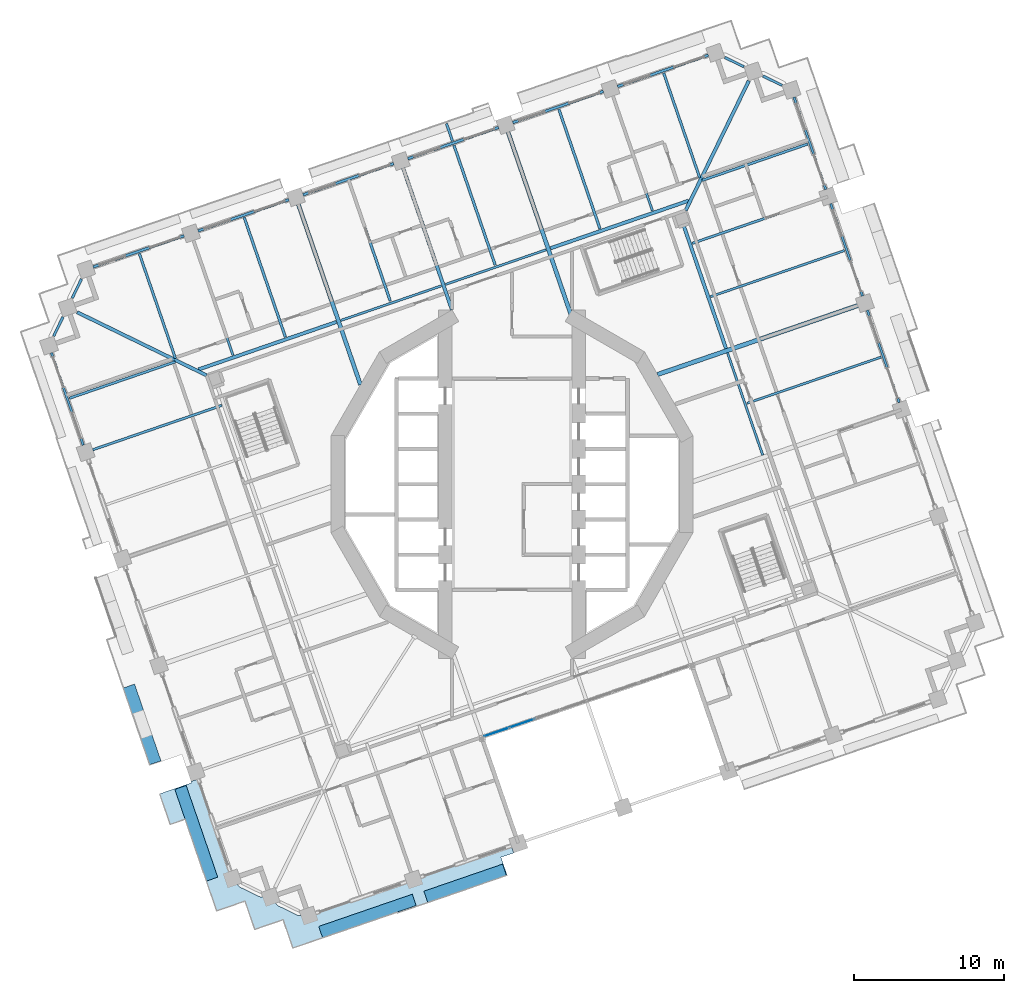
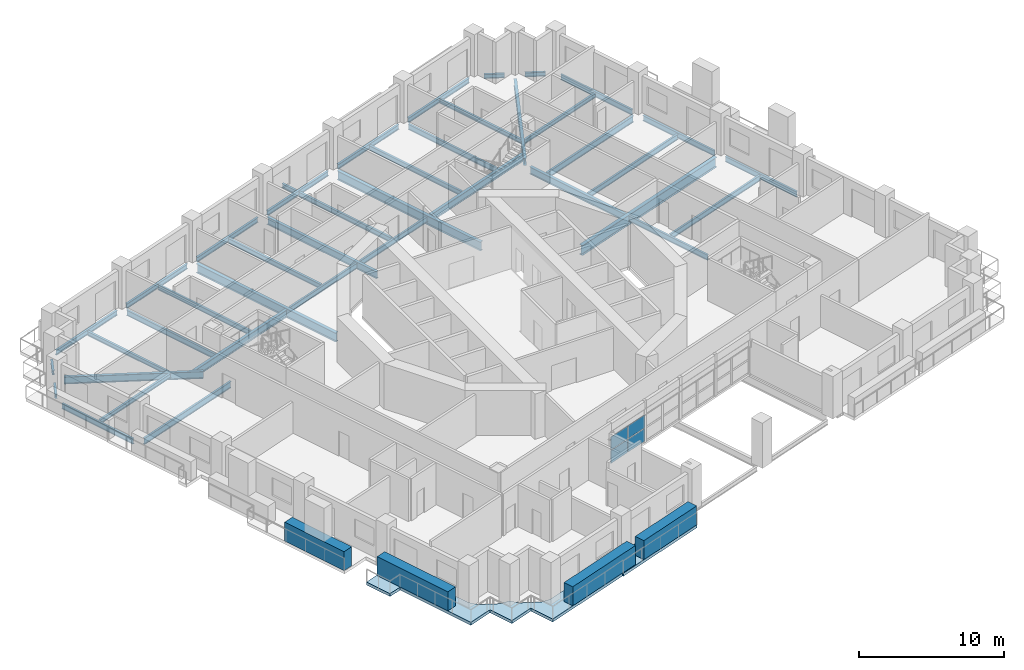
# One storey, part 6 of 22: 41 beams, 8 plates, 1 slab, 1 element without a shape of its own.
"""IFC4 building model written with IfcOpenShell, lengths in metres."""

from ifc_helpers import new_model, si_unit, direction, frame, origin, origin_2d, place, context, subcontext, project, spatial, polyline, rectangle, i_section, outline, extrude, material, layer, layer_set, material_profile, profile_set, type_object, element, aggregate, save


model = new_model("IFC4")

# Units and contexts
model_context = context("Model", 3, precision=1e-05, world=origin(), true_north=direction((0.0, 1.0)))
body_context = subcontext(model_context, "Body", "Model", "MODEL_VIEW")
ifc_project = project(units=[si_unit("LENGTHUNIT", "METRE"), si_unit("AREAUNIT", "SQUARE_METRE"), si_unit("VOLUMEUNIT", "CUBIC_METRE"), si_unit("PLANEANGLEUNIT", "RADIAN"), si_unit("MASSUNIT", "GRAM", prefix="KILO")], contexts=[model_context])

# Site, building, storey
site_placement = place(None, origin())
site = spatial("IfcSite", under=ifc_project, at=site_placement, CompositionType="ELEMENT")
building_placement = place(site_placement, origin())
building = spatial("IfcBuilding", under=site, at=building_placement, Name="Cantera Rosa Tower", CompositionType="ELEMENT")
storey_placement = place(building_placement, frame((0.0, 0.0, 107.89990234375)))
storey = spatial("IfcBuildingStorey", under=building, at=storey_placement, Name="L21", CompositionType="ELEMENT", Elevation=107.89990234375)

# Beams
ifc_material_1 = material(Name="Steel ASTM A992 (Fy 345 MPa)", Category="steel")
ifc_material_profile_1 = material_profile(ifc_material_1, i_section(OverallWidth=0.154052734375, OverallDepth=0.4599609375, WebThickness=0.009033203125, FlangeThickness=0.015380859375, FilletRadius=0.01025390625, at=origin_2d()), Name="W460X68")
ifc_profile_set_1 = profile_set([ifc_material_profile_1], Name="Steel ASTM A992 (Fy 345 MPa)")
beam_type_1 = type_object("IfcBeamType", Name="STEEL BEAM W460X68", PredefinedType="BEAM", material=ifc_profile_set_1)
for number, where, z_axis, x_axis, name in (
    (1, (6.7333984375, 25.903564453125, -0.47998046875), (0.325580085327, -0.945514467387, 0.0), (0.945514467387, 0.325580085327, 0.0), "G-Z2-05 L21"),
    (2, (-21.25390625, 16.2666015625, -0.47998046875), (0.325580085327, -0.945514467387, 0.0), (0.945514467387, 0.325580085327, 0.0), "G-Z2-09 L21"),
):
    element("IfcBeam", number, at=place(storey_placement, frame(where, z_axis=z_axis, x_axis=x_axis)), inside=storey, type_object=beam_type_1, Name=name, PredefinedType="BEAM", context=body_context, shape_type="SweptSolid", body=[
        extrude(i_section(OverallWidth=0.154052734375, OverallDepth=0.4599609375, WebThickness=0.009033203125, FlangeThickness=0.015380859375, FilletRadius=0.01025390625, at=origin_2d()), origin(), (0.0, 0.0, 1.0), 8.10009765625),
    ])
beam_1_placement = place(storey_placement, frame((-11.42919921875, 10.924072265625, -0.47998046875), z_axis=(0.945518325606, 0.32556888049, 0.0), x_axis=(-0.32556888049, 0.945518325606, 0.0)))
element("IfcBeam", 3, at=beam_1_placement, inside=storey, type_object=beam_type_1, Name="RB-Z2-02 L21", PredefinedType="BEAM", context=body_context, shape_type="SweptSolid", body=[
    extrude(i_section(OverallWidth=0.154052734375, OverallDepth=0.4599609375, WebThickness=0.009033203125, FlangeThickness=0.015380859375, FilletRadius=0.01025390625, at=origin_2d()), origin(), (0.0, 0.0, 1.0), 7.099853515625),
])
beam_2_placement = place(storey_placement, frame((-4.432373046875, 13.333251953125, -0.47998046875), z_axis=(0.945507740063, 0.325599621437, 0.0), x_axis=(-0.325599621437, 0.945507740063, 0.0)))
element("IfcBeam", 4, at=beam_2_placement, inside=storey, type_object=beam_type_1, Name="RB-Z2-03 L21", PredefinedType="BEAM", context=body_context, shape_type="SweptSolid", body=[
    extrude(i_section(OverallWidth=0.154052734375, OverallDepth=0.4599609375, WebThickness=0.009033203125, FlangeThickness=0.015380859375, FilletRadius=0.01025390625, at=origin_2d()), origin(), (0.0, 0.0, 1.0), 7.10009765625),
])
beam_3_placement = place(storey_placement, frame((16.72900390625, 1.9423828125, -0.47998046875), z_axis=(-0.325575881702, 0.94551591486, 0.0), x_axis=(-0.94551591486, -0.325575881702, 0.0)))
element("IfcBeam", 5, at=beam_3_placement, inside=storey, type_object=beam_type_1, Name="RB-Z2-10 L21", PredefinedType="BEAM", context=body_context, shape_type="SweptSolid", body=[
    extrude(i_section(OverallWidth=0.154052734375, OverallDepth=0.4599609375, WebThickness=0.009033203125, FlangeThickness=0.015380859375, FilletRadius=0.01025390625, at=origin_2d()), origin(), (0.0, 0.0, 1.0), 7.2197265625),
])
ifc_material_2 = material(Name="Steel ASTM A992 (Fy 345 MPa)", Category="steel")
ifc_material_profile_2 = material_profile(ifc_material_2, i_section(OverallWidth=0.166015625, OverallDepth=0.528076171875, WebThickness=0.009765625, FlangeThickness=0.013671875, FilletRadius=0.0126953125, at=origin_2d()), Name="W530X74")
ifc_profile_set_2 = profile_set([ifc_material_profile_2], Name="Steel ASTM A992 (Fy 345 MPa)")
beam_type_2 = type_object("IfcBeamType", Name="STEEL BEAM W530X74", PredefinedType="BEAM", material=ifc_profile_set_2)
for number, where, z_axis, x_axis, name in (
    (6, (20.62744140625, 19.032470703125, -0.513916015625), (-0.94551971591, -0.325564842737, 0.0), (0.325564842737, -0.94551971591, 0.0), "G-Z2-04 L21"),
    (7, (-27.97216796875, 2.29833984375, -0.513916015625), (0.94551971591, 0.325564842737, 0.0), (-0.325564842737, 0.94551971591, 0.0), "G-Z2-15 L21"),
):
    element("IfcBeam", number, at=place(storey_placement, frame(where, z_axis=z_axis, x_axis=x_axis)), inside=storey, type_object=beam_type_2, Name=name, PredefinedType="BEAM", context=body_context, shape_type="SweptSolid", body=[
        extrude(i_section(OverallWidth=0.166015625, OverallDepth=0.528076171875, WebThickness=0.009765625, FlangeThickness=0.013671875, FilletRadius=0.0126953125, at=origin_2d()), origin(), (0.0, 0.0, 1.0), 9.10009765625),
    ])
ifc_material_3 = material(Name="Steel ASTM A992 (Fy 345 MPa)", Category="steel")
ifc_material_profile_3 = material_profile(ifc_material_3, i_section(OverallWidth=0.22802734375, OverallDepth=0.60205078125, WebThickness=0.010498046875, FlangeThickness=0.014892578125, FilletRadius=0.0126953125, at=origin_2d()), Name="W610X101")
ifc_profile_set_3 = profile_set([ifc_material_profile_3], Name="Steel ASTM A992 (Fy 345 MPa)")
beam_type_3 = type_object("IfcBeamType", Name="STEEL BEAM W610X101", PredefinedType="BEAM", material=ifc_profile_set_3)
beam_4_placement = place(storey_placement, frame((15.7998046875, 26.909912109375, -0.55078125), z_axis=(-0.438387618569, -0.898786012288, 0.0), x_axis=(0.898786012288, -0.438387618569, 0.0)))
element("IfcBeam", 8, at=beam_4_placement, inside=storey, type_object=beam_type_3, Name="CB-Z2-01 L21", PredefinedType="BEAM", context=body_context, shape_type="SweptSolid", body=[
    extrude(i_section(OverallWidth=0.22802734375, OverallDepth=0.60205078125, WebThickness=0.010498046875, FlangeThickness=0.014892578125, FilletRadius=0.0126953125, at=origin_2d()), origin(), (0.0, 0.0, 1.0), 9.61669921875),
])
beam_5_placement = place(storey_placement, frame((-29.017822265625, 11.47802734375, -0.55078125), z_axis=(0.898796015179, -0.438367109965, 0.0), x_axis=(0.438367109965, 0.898796015179, 0.0)))
element("IfcBeam", 9, at=beam_5_placement, inside=storey, type_object=beam_type_3, Name="CB-Z2-02 L21", PredefinedType="BEAM", context=body_context, shape_type="SweptSolid", body=[
    extrude(i_section(OverallWidth=0.22802734375, OverallDepth=0.60205078125, WebThickness=0.010498046875, FlangeThickness=0.014892578125, FilletRadius=0.0126953125, at=origin_2d()), origin(), (0.0, 0.0, 1.0), 9.616455078125),
])
beam_6_placement = place(storey_placement, frame((-7.26025390625, 21.0849609375, -0.55078125), z_axis=(0.325587365823, -0.945511960377, 0.0), x_axis=(0.945511960377, 0.325587365823, 0.0)))
element("IfcBeam", 10, at=beam_6_placement, inside=storey, type_object=beam_type_3, Name="G-Z2-07 L21", PredefinedType="BEAM", context=body_context, shape_type="SweptSolid", body=[
    extrude(i_section(OverallWidth=0.22802734375, OverallDepth=0.60205078125, WebThickness=0.010498046875, FlangeThickness=0.014892578125, FilletRadius=0.0126953125, at=origin_2d()), origin(), (0.0, 0.0, 1.0), 10.0),
])
beam_7_placement = place(storey_placement, frame((14.28076171875, 9.052490234375, -0.55078125), z_axis=(-0.325559468466, 0.945521566381, 0.0), x_axis=(-0.945521566381, -0.325559468466, 0.0)))
element("IfcBeam", 11, at=beam_7_placement, inside=storey, type_object=beam_type_3, Name="RB-Z2-11 L21", PredefinedType="BEAM", context=body_context, shape_type="SweptSolid", body=[
    extrude(i_section(OverallWidth=0.22802734375, OverallDepth=0.60205078125, WebThickness=0.010498046875, FlangeThickness=0.014892578125, FilletRadius=0.0126953125, at=origin_2d()), origin(), (0.0, 0.0, 1.0), 8.68994140625),
])
ifc_material_4 = material(Name="Steel ASTM A992 (Fy 345 MPa)", Category="steel")
ifc_material_profile_4 = material_profile(ifc_material_4, i_section(OverallWidth=0.22900390625, OverallDepth=0.612060546875, WebThickness=0.011962890625, FlangeThickness=0.01953125, FilletRadius=0.0126953125, at=origin_2d()), Name="W610X125")
ifc_profile_set_4 = profile_set([ifc_material_profile_4], Name="Steel ASTM A992 (Fy 345 MPa)")
beam_type_4 = type_object("IfcBeamType", Name="STEEL BEAM W610X125", PredefinedType="BEAM", material=ifc_profile_set_4)
beam_8_placement = place(storey_placement, frame((-20.931640625, 7.652099609375, -0.555908203125), z_axis=(0.945517116269, 0.32557239263, 0.0), x_axis=(-0.32557239263, 0.945517116269, 0.0)))
element("IfcBeam", 12, at=beam_8_placement, inside=storey, type_object=beam_type_4, Name="RB-Z2-01 L21", PredefinedType="BEAM", context=body_context, shape_type="SweptSolid", body=[
    extrude(i_section(OverallWidth=0.22900390625, OverallDepth=0.612060546875, WebThickness=0.011962890625, FlangeThickness=0.01953125, FilletRadius=0.0126953125, at=origin_2d()), origin(), (0.0, 0.0, 1.0), 9.75),
])
beam_9_placement = place(storey_placement, frame((2.564453125, 15.74267578125, -0.555908203125), z_axis=(0.945524824291, 0.325550006372, 0.0), x_axis=(-0.325550006372, 0.945524824291, 0.0)))
element("IfcBeam", 13, at=beam_9_placement, inside=storey, type_object=beam_type_4, Name="RB-Z2-04 L21", PredefinedType="BEAM", context=body_context, shape_type="SweptSolid", body=[
    extrude(i_section(OverallWidth=0.22900390625, OverallDepth=0.612060546875, WebThickness=0.011962890625, FlangeThickness=0.01953125, FilletRadius=0.0126953125, at=origin_2d()), origin(), (0.0, 0.0, 1.0), 9.749755859375),
])
ifc_material_5 = material(Name="Steel ASTM A992 (Fy 345 MPa)", Category="steel")
ifc_material_profile_5 = material_profile(ifc_material_5, i_section(OverallWidth=0.26708984375, OverallDepth=0.75390625, WebThickness=0.01318359375, FlangeThickness=0.01708984375, FilletRadius=0.0166015625, at=origin_2d()), Name="W760X147")
ifc_profile_set_5 = profile_set([ifc_material_profile_5], Name="Steel ASTM A992 (Fy 345 MPa)")
beam_type_5 = type_object("IfcBeamType", Name="STEEL BEAM W760X147", PredefinedType="BEAM", material=ifc_profile_set_5)
beam_10_placement = place(storey_placement, frame((-0.263427734375, 23.494384765625, -0.626953125), z_axis=(0.325569500581, -0.945518112091, 0.0), x_axis=(0.945518112091, 0.325569500581, 0.0)))
element("IfcBeam", 14, at=beam_10_placement, inside=storey, type_object=beam_type_5, Name="G-Z2-06 L21", PredefinedType="BEAM", context=body_context, shape_type="SweptSolid", body=[
    extrude(i_section(OverallWidth=0.26708984375, OverallDepth=0.75390625, WebThickness=0.01318359375, FlangeThickness=0.01708984375, FilletRadius=0.0166015625, at=origin_2d()), origin(), (0.0, 0.0, 1.0), 13.09521484375),
])
beam_11_placement = place(storey_placement, frame((-14.257080078125, 18.67578125, -0.626953125), z_axis=(0.325575880476, -0.945515915282, 0.0), x_axis=(0.945515915282, 0.325575880476, 0.0)))
element("IfcBeam", 15, at=beam_11_placement, inside=storey, type_object=beam_type_5, Name="G-Z2-08 L21", PredefinedType="BEAM", context=body_context, shape_type="SweptSolid", body=[
    extrude(i_section(OverallWidth=0.26708984375, OverallDepth=0.75390625, WebThickness=0.01318359375, FlangeThickness=0.01708984375, FilletRadius=0.0166015625, at=origin_2d()), origin(), (0.0, 0.0, 1.0), 12.734375),
])
ifc_material_6 = material(Name="Steel ASTM A992 (Fy 345 MPa)", Category="steel")
ifc_material_profile_6 = material_profile(ifc_material_6, i_section(OverallWidth=0.2919921875, OverallDepth=0.8359375, WebThickness=0.013916015625, FlangeThickness=0.018798828125, FilletRadius=0.017822265625, at=origin_2d()), Name="W840X176")
ifc_profile_set_6 = profile_set([ifc_material_profile_6], Name="Steel ASTM A992 (Fy 345 MPa)")
beam_type_6 = type_object("IfcBeamType", Name="STEEL BEAM W840X176", PredefinedType="BEAM", material=ifc_profile_set_6)
beam_12_placement = place(storey_placement, frame((23.07568359375, 11.92236328125, -0.66796875), z_axis=(-0.945516836256, -0.325573205833, 0.0), x_axis=(0.325573205833, -0.945516836256, 0.0)))
element("IfcBeam", 16, at=beam_12_placement, inside=storey, type_object=beam_type_6, Name="G-Z2-03 L21", PredefinedType="BEAM", context=body_context, shape_type="SweptSolid", body=[
    extrude(i_section(OverallWidth=0.2919921875, OverallDepth=0.8359375, WebThickness=0.013916015625, FlangeThickness=0.018798828125, FilletRadius=0.017822265625, at=origin_2d()), origin(), (0.0, 0.0, 1.0), 14.130615234375),
])
ifc_material_7 = material(Name="Steel ASTM A992 (Fy 345 MPa)", Category="steel")
ifc_material_profile_7 = material_profile(ifc_material_7, i_section(OverallWidth=0.1708984375, OverallDepth=0.35595703125, WebThickness=0.00732421875, FlangeThickness=0.01171875, FilletRadius=0.010009765625, at=origin_2d()), Name="W360X51")
ifc_profile_set_7 = profile_set([ifc_material_profile_7], Name="Steel ASTM A992 (Fy 345 MPa)")
beam_type_7 = type_object("IfcBeamType", Name="STEEL JOIST W360X51", PredefinedType="JOIST", material=ifc_profile_set_7)
beam_13_placement = place(storey_placement, frame((19.734130859375, 22.70166015625, -0.427978515625), z_axis=(-0.945518264054, -0.32556905925, 0.0), x_axis=(0.32556905925, -0.945518264054, 0.0)))
element("IfcBeam", 17, at=beam_13_placement, inside=storey, type_object=beam_type_7, Name="B-Z2-05 L21", PredefinedType="JOIST", context=body_context, shape_type="SweptSolid", body=[
    extrude(i_section(OverallWidth=0.1708984375, OverallDepth=0.35595703125, WebThickness=0.00732421875, FlangeThickness=0.01171875, FilletRadius=0.010009765625, at=origin_2d()), origin(), (0.0, 0.0, 1.0), 7.4599609375),
])
for number, where, z_axis, x_axis, name in (
    (18, (10.117919921875, 27.43896484375, -0.427978515625), (0.325565645331, -0.945519439557, 0.0), (0.945519439557, 0.325565645331, 0.0), "B-Z2-06 L21"),
    (19, (-24.8662109375, 15.39306640625, -0.427978515625), (0.325565645331, -0.945519439557, 0.0), (0.945519439557, 0.325565645331, 0.0), "B-Z2-11 L21"),
):
    element("IfcBeam", number, at=place(storey_placement, frame(where, z_axis=z_axis, x_axis=x_axis)), inside=storey, type_object=beam_type_7, Name=name, PredefinedType="JOIST", context=body_context, shape_type="SweptSolid", body=[
        extrude(i_section(OverallWidth=0.1708984375, OverallDepth=0.35595703125, WebThickness=0.00732421875, FlangeThickness=0.01171875, FilletRadius=0.010009765625, at=origin_2d()), origin(), (0.0, 0.0, 1.0), 7.39990234375),
    ])
beam_14_placement = place(storey_placement, frame((-29.52734375, 5.739501953125, -0.427978515625), z_axis=(0.945521732807, 0.325558985116, 0.0), x_axis=(-0.325558985116, 0.945521732807, 0.0)))
element("IfcBeam", 20, at=beam_14_placement, inside=storey, type_object=beam_type_7, Name="B-Z2-18 L21", PredefinedType="JOIST", context=body_context, shape_type="SweptSolid", body=[
    extrude(i_section(OverallWidth=0.1708984375, OverallDepth=0.35595703125, WebThickness=0.00732421875, FlangeThickness=0.01171875, FilletRadius=0.010009765625, at=origin_2d()), origin(), (0.0, 0.0, 1.0), 7.460205078125),
])
beam_15_placement = place(storey_placement, frame((-3.966796875, 22.88525390625, -0.427978515625), z_axis=(-0.325587365823, 0.945511960377, 0.0), x_axis=(-0.945511960377, -0.325587365823, 0.0)))
element("IfcBeam", 21, at=beam_15_placement, inside=storey, type_object=beam_type_7, Name="BS-Z2-02 L21", PredefinedType="JOIST", context=body_context, shape_type="SweptSolid", body=[
    extrude(i_section(OverallWidth=0.1708984375, OverallDepth=0.35595703125, WebThickness=0.00732421875, FlangeThickness=0.01171875, FilletRadius=0.010009765625, at=origin_2d()), origin(), (0.0, 0.0, 1.0), 1.25),
])
ifc_material_8 = material(Name="Steel ASTM A992 (Fy 345 MPa)", Category="steel")
ifc_material_profile_8 = material_profile(ifc_material_8, i_section(OverallWidth=0.177978515625, OverallDepth=0.406005859375, WebThickness=0.0078125, FlangeThickness=0.0126953125, FilletRadius=0.01025390625, at=origin_2d()), Name="W410X60")
ifc_profile_set_8 = profile_set([ifc_material_profile_8], Name="Steel ASTM A992 (Fy 345 MPa)")
beam_type_8 = type_object("IfcBeamType", Name="STEEL JOIST W410X60", PredefinedType="JOIST", material=ifc_profile_set_8)
beam_16_placement = place(storey_placement, frame((3.12109375, 25.02978515625, -0.452880859375), z_axis=(0.325565025235, -0.945519653071, 0.0), x_axis=(0.945519653071, 0.325565025235, 0.0)))
element("IfcBeam", 22, at=beam_16_placement, inside=storey, type_object=beam_type_8, Name="B-Z2-07 L21", PredefinedType="JOIST", context=body_context, shape_type="SweptSolid", body=[
    extrude(i_section(OverallWidth=0.177978515625, OverallDepth=0.406005859375, WebThickness=0.0078125, FlangeThickness=0.0126953125, FilletRadius=0.01025390625, at=origin_2d()), origin(), (0.0, 0.0, 1.0), 8.449951171875),
])
for number, where, z_axis, x_axis, name in (
    (23, (-3.875732421875, 22.62060546875, -0.452880859375), (0.325556131421, -0.945522715377, 0.0), (0.945522715377, 0.325556131421, 0.0), "B-Z2-08 L21"),
    (24, (-10.87255859375, 20.21142578125, -0.452880859375), (0.325556131421, -0.945522715377, 0.0), (0.945522715377, 0.325556131421, 0.0), "B-Z2-09 L21"),
    (25, (-17.869384765625, 17.80224609375, -0.452880859375), (0.325556131421, -0.945522715377, 0.0), (0.945522715377, 0.325556131421, 0.0), "B-Z2-10 L21"),
):
    element("IfcBeam", number, at=place(storey_placement, frame(where, z_axis=z_axis, x_axis=x_axis)), inside=storey, type_object=beam_type_8, Name=name, PredefinedType="JOIST", context=body_context, shape_type="SweptSolid", body=[
        extrude(i_section(OverallWidth=0.177978515625, OverallDepth=0.406005859375, WebThickness=0.0078125, FlangeThickness=0.0126953125, FilletRadius=0.01025390625, at=origin_2d()), origin(), (0.0, 0.0, 1.0), 8.4501953125),
    ])
ifc_material_9 = material(Name="Steel ASTM A992 (Fy 345 MPa)", Category="steel")
ifc_material_profile_9 = material_profile(ifc_material_9, i_section(OverallWidth=0.154052734375, OverallDepth=0.4599609375, WebThickness=0.009033203125, FlangeThickness=0.015380859375, FilletRadius=0.01025390625, at=origin_2d()), Name="W460X68")
ifc_profile_set_9 = profile_set([ifc_material_profile_9], Name="Steel ASTM A992 (Fy 345 MPa)")
beam_type_9 = type_object("IfcBeamType", Name="STEEL JOIST W460X68", PredefinedType="JOIST", material=ifc_profile_set_9)
beam_17_placement = place(storey_placement, frame((24.630859375, 8.48095703125, -0.47998046875), z_axis=(-0.945526896389, -0.325543988125, 0.0), x_axis=(0.325543988125, -0.945526896389, 0.0)))
element("IfcBeam", 26, at=beam_17_placement, inside=storey, type_object=beam_type_9, Name="B-Z2-03 L21", PredefinedType="JOIST", context=body_context, shape_type="SweptSolid", body=[
    extrude(i_section(OverallWidth=0.154052734375, OverallDepth=0.4599609375, WebThickness=0.009033203125, FlangeThickness=0.015380859375, FilletRadius=0.01025390625, at=origin_2d()), origin(), (0.0, 0.0, 1.0), 9.4501953125),
])
beam_18_placement = place(storey_placement, frame((22.182373046875, 15.59130859375, -0.47998046875), z_axis=(-0.94551620555, -0.325575037498, 0.0), x_axis=(0.325575037498, -0.94551620555, 0.0)))
element("IfcBeam", 27, at=beam_18_placement, inside=storey, type_object=beam_type_9, Name="B-Z2-04 L21", PredefinedType="JOIST", context=body_context, shape_type="SweptSolid", body=[
    extrude(i_section(OverallWidth=0.154052734375, OverallDepth=0.4599609375, WebThickness=0.009033203125, FlangeThickness=0.015380859375, FilletRadius=0.01025390625, at=origin_2d()), origin(), (0.0, 0.0, 1.0), 9.449951171875),
])
ifc_material_10 = material(Name="Steel ASTM A992 (Fy 345 MPa)", Category="steel")
ifc_material_profile_10 = material_profile(ifc_material_10, i_section(OverallWidth=0.1708984375, OverallDepth=0.35595703125, WebThickness=0.00732421875, FlangeThickness=0.01171875, FilletRadius=0.010009765625, at=origin_2d()), Name="W360X51")
ifc_profile_set_10 = profile_set([ifc_material_profile_10], Name="Steel ASTM A992 (Fy 345 MPa)")
beam_type_10 = type_object("IfcBeamType", Name="STEEL SPANDREL BEAM W360X51", PredefinedType="SPANDREL", material=ifc_profile_set_10)
for number, where, z_axis, x_axis, name in (
    (28, (18.016357421875, 26.61572265625, -0.427978515625), (-0.898803287583, 0.438352198842, 0.0), (-0.438352198842, -0.898803287583, 0.0), "EB-Z2-06 L21"),
    (29, (15.47412109375, 27.85546875, -0.427978515625), (-0.898803287583, 0.438352198842, 0.0), (-0.438352198842, -0.898803287583, 0.0), "EB-Z2-07 L21"),
):
    element("IfcBeam", number, at=place(storey_placement, frame(where, z_axis=z_axis, x_axis=x_axis)), inside=storey, type_object=beam_type_10, Name=name, PredefinedType="SPANDREL", context=body_context, shape_type="SweptSolid", body=[
        extrude(i_section(OverallWidth=0.1708984375, OverallDepth=0.35595703125, WebThickness=0.00732421875, FlangeThickness=0.01171875, FilletRadius=0.010009765625, at=origin_2d()), origin(), (0.0, 0.0, 1.0), 1.4140625),
    ])
for number, where, z_axis, x_axis, name in (
    (30, (-28.723388671875, 13.694580078125, -0.427978515625), (-0.438491655897, -0.898735260079, 0.0), (0.898735260079, -0.438491655897, 0.0), "EB-Z2-14 L21"),
    (31, (-29.96337890625, 11.152587890625, -0.427978515625), (-0.438284186308, -0.898836454552, 0.0), (0.898836454552, -0.438284186308, 0.0), "EB-Z2-15 L21"),
):
    element("IfcBeam", number, at=place(storey_placement, frame(where, z_axis=z_axis, x_axis=x_axis)), inside=storey, type_object=beam_type_10, Name=name, PredefinedType="SPANDREL", context=body_context, shape_type="SweptSolid", body=[
        extrude(i_section(OverallWidth=0.1708984375, OverallDepth=0.35595703125, WebThickness=0.00732421875, FlangeThickness=0.01171875, FilletRadius=0.010009765625, at=origin_2d()), origin(), (0.0, 0.0, 1.0), 1.414306640625),
    ])
ifc_material_11 = material(Name="Steel ASTM A992 (Fy 345 MPa)", Category="steel")
ifc_material_profile_11 = material_profile(ifc_material_11, i_section(OverallWidth=0.177978515625, OverallDepth=0.406005859375, WebThickness=0.0078125, FlangeThickness=0.0126953125, FilletRadius=0.01025390625, at=origin_2d()), Name="W410X60")
ifc_profile_set_11 = profile_set([ifc_material_profile_11], Name="Steel ASTM A992 (Fy 345 MPa)")
beam_type_11 = type_object("IfcBeamType", Name="STEEL SPANDREL BEAM W410X60", PredefinedType="SPANDREL", material=ifc_profile_set_11)
for number, where, z_axis, x_axis, name in (
    (32, (13.0947265625, 28.62255859375, -0.452880859375), (-0.945524496524, -0.325550958337, 0.0), (0.325550958337, -0.945524496524, 0.0), "EB-Z2-08 L21"),
    (33, (6.097900390625, 26.21337890625, -0.452880859375), (-0.945524496524, -0.325550958337, 0.0), (0.325550958337, -0.945524496524, 0.0), "EB-Z2-09 L21"),
    (34, (-0.89892578125, 23.80419921875, -0.452880859375), (-0.945524496524, -0.325550958337, 0.0), (0.325550958337, -0.945524496524, 0.0), "EB-Z2-10 L21"),
    (35, (-7.895751953125, 21.39501953125, -0.452880859375), (-0.945524496524, -0.325550958337, 0.0), (0.325550958337, -0.945524496524, 0.0), "EB-Z2-11 L21"),
    (36, (-14.892578125, 18.98583984375, -0.452880859375), (-0.945512753621, -0.325585062219, 0.0), (0.325585062219, -0.945512753621, 0.0), "EB-Z2-12 L21"),
    (37, (-21.889404296875, 16.57666015625, -0.452880859375), (-0.945512753621, -0.325585062219, 0.0), (0.325585062219, -0.945512753621, 0.0), "EB-Z2-13 L21"),
):
    element("IfcBeam", number, at=place(storey_placement, frame(where, z_axis=z_axis, x_axis=x_axis)), inside=storey, type_object=beam_type_11, Name=name, PredefinedType="SPANDREL", context=body_context, shape_type="SweptSolid", body=[
        extrude(i_section(OverallWidth=0.177978515625, OverallDepth=0.406005859375, WebThickness=0.0078125, FlangeThickness=0.0126953125, FilletRadius=0.01025390625, at=origin_2d()), origin(), (0.0, 0.0, 1.0), 6.39990234375),
    ])
ifc_material_12 = material(Name="Steel ASTM A992 (Fy 345 MPa)", Category="steel")
ifc_material_profile_12 = material_profile(ifc_material_12, i_section(OverallWidth=0.154052734375, OverallDepth=0.4599609375, WebThickness=0.009033203125, FlangeThickness=0.015380859375, FilletRadius=0.01025390625, at=origin_2d()), Name="W460X68")
ifc_profile_set_12 = profile_set([ifc_material_profile_12], Name="Steel ASTM A992 (Fy 345 MPa)")
beam_type_12 = type_object("IfcBeamType", Name="STEEL SPANDREL BEAM W460X68", PredefinedType="SPANDREL", material=ifc_profile_set_12)
for number, where, z_axis, x_axis, name in (
    (38, (25.833984375, 5.447509765625, -0.47998046875), (-0.325580990241, 0.945514155787, 0.0), (-0.945514155787, -0.325580990241, 0.0), "EB-Z2-03 L21"),
    (39, (23.3857421875, 12.557861328125, -0.47998046875), (-0.325580990241, 0.945514155787, 0.0), (-0.945514155787, -0.325580990241, 0.0), "EB-Z2-04 L21"),
):
    element("IfcBeam", number, at=place(storey_placement, frame(where, z_axis=z_axis, x_axis=x_axis)), inside=storey, type_object=beam_type_12, Name=name, PredefinedType="SPANDREL", context=body_context, shape_type="SweptSolid", body=[
        extrude(i_section(OverallWidth=0.154052734375, OverallDepth=0.4599609375, WebThickness=0.009033203125, FlangeThickness=0.015380859375, FilletRadius=0.01025390625, at=origin_2d()), origin(), (0.0, 0.0, 1.0), 6.52001953125),
    ])
beam_19_placement = place(storey_placement, frame((20.9375, 19.668212890625, -0.47998046875), z_axis=(-0.325592517631, 0.945510186335, 0.0), x_axis=(-0.945510186335, -0.325592517631, 0.0)))
element("IfcBeam", 40, at=beam_19_placement, inside=storey, type_object=beam_type_12, Name="EB-Z2-05 L21", PredefinedType="SPANDREL", context=body_context, shape_type="SweptSolid", body=[
    extrude(i_section(OverallWidth=0.154052734375, OverallDepth=0.4599609375, WebThickness=0.009033203125, FlangeThickness=0.015380859375, FilletRadius=0.01025390625, at=origin_2d()), origin(), (0.0, 0.0, 1.0), 6.519775390625),
])
beam_20_placement = place(storey_placement, frame((-30.73046875, 8.773193359375, -0.47998046875), z_axis=(0.325580990241, -0.945514155787, 0.0), x_axis=(0.945514155787, 0.325580990241, 0.0)))
element("IfcBeam", 41, at=beam_20_placement, inside=storey, type_object=beam_type_12, Name="EB-Z2-16 L21", PredefinedType="SPANDREL", context=body_context, shape_type="SweptSolid", body=[
    extrude(i_section(OverallWidth=0.154052734375, OverallDepth=0.4599609375, WebThickness=0.009033203125, FlangeThickness=0.015380859375, FilletRadius=0.01025390625, at=origin_2d()), origin(), (0.0, 0.0, 1.0), 6.52001953125),
])

# Curtain wall, plates
ifc_material_13 = material(Name="Aluminium frame with clear glass", Category="aluminium")
curtain_wall_type = type_object("IfcCurtainWallType", Name="CW1 TERRACE POCKET GLAZING", PredefinedType="NOTDEFINED", material=ifc_material_13)
curtain_wall_placement = place(storey_placement, origin())
curtain_wall = element("IfcCurtainWall", 42, at=curtain_wall_placement, inside=storey, type_object=curtain_wall_type, Name="CW1 CW1", PredefinedType="NOTDEFINED")
ifc_material_14 = material(Name="Aluminium frame with clear glass", Category="aluminium")
ifc_layer_1 = layer(ifc_material_14, 0.028076171875)
ifc_layer_set_1 = layer_set([ifc_layer_1], Name="CW-PANEL POCKET")
plate_type_1 = type_object("IfcPlateType", Name="CW-PANEL POCKET", PredefinedType="CURTAIN_PANEL", material=ifc_layer_set_1)
plate_1_placement = place(storey_placement, frame((-1.0234375, -16.533935546875, 0.06005859375), z_axis=(0.0, 0.0, 1.0), x_axis=(0.945518575605, 0.325568154441, 0.0)))
plate_1 = element("IfcPlate", 43, at=plate_1_placement, type_object=plate_type_1, Name="CW1 panel 1.1", PredefinedType="CURTAIN_PANEL", context=body_context, shape_type="SweptSolid", body=[
    extrude(rectangle(XDim=1.728759765625, YDim=0.028076171875, at=origin_2d()), origin(), (0.0, 0.0, 1.0), 1.0791015625),
])
plate_2_placement = place(storey_placement, frame((-1.0234375, -16.533935546875, 1.198974609375), z_axis=(0.0, 0.0, 1.0), x_axis=(0.945518575605, 0.325568154441, 0.0)))
plate_2 = element("IfcPlate", 44, at=plate_2_placement, type_object=plate_type_1, Name="CW1 panel 1.2", PredefinedType="CURTAIN_PANEL", context=body_context, shape_type="SweptSolid", body=[
    extrude(rectangle(XDim=1.728759765625, YDim=0.028076171875, at=origin_2d()), origin(), (0.0, 0.0, 1.0), 1.0791015625),
])
plate_3_placement = place(storey_placement, frame((0.68212890625, -15.94677734375, 0.06005859375), z_axis=(0.0, 0.0, 1.0), x_axis=(0.945518575605, 0.325568154441, 0.0)))
plate_3 = element("IfcPlate", 45, at=plate_3_placement, type_object=plate_type_1, Name="CW1 panel 2.1", PredefinedType="CURTAIN_PANEL", context=body_context, shape_type="SweptSolid", body=[
    extrude(rectangle(XDim=1.7587890625, YDim=0.028076171875, at=origin_2d()), origin(), (0.0, 0.0, 1.0), 1.0791015625),
])
plate_4_placement = place(storey_placement, frame((0.68212890625, -15.94677734375, 1.198974609375), z_axis=(0.0, 0.0, 1.0), x_axis=(0.945518575605, 0.325568154441, 0.0)))
plate_4 = element("IfcPlate", 46, at=plate_4_placement, type_object=plate_type_1, Name="CW1 panel 2.2", PredefinedType="CURTAIN_PANEL", context=body_context, shape_type="SweptSolid", body=[
    extrude(rectangle(XDim=1.7587890625, YDim=0.028076171875, at=origin_2d()), origin(), (0.0, 0.0, 1.0), 1.0791015625),
])
aggregate(curtain_wall, [plate_1, plate_2, plate_3, plate_4])

# Slab
ifc_material_15 = material(Name="Concrete C35/45", Category="concrete")
ifc_layer_2 = layer(ifc_material_15, 0.25)
ifc_layer_set_2 = layer_set([ifc_layer_2], Name="LOGGIA SLAB 250 C35/45")
slab_type = type_object("IfcSlabType", Name="LOGGIA SLAB 250 C35/45", PredefinedType="FLOOR", material=ifc_layer_set_2)
slab_placement = place(storey_placement, frame((0.0, 0.0, -0.25)))
element("IfcSlab", 47, at=slab_placement, inside=storey, type_object=slab_type, Name="LOGGIA SLAB L21 3", PredefinedType="FLOOR", context=body_context, shape_type="SweptSolid", body=[
    extrude(outline(polyline([(-13.01416015625, -30.392822265625), (-14.62158203125, -30.9462890625), (-15.1748046875, -29.3388671875), (-15.272705078125, -29.05517578125), (-15.556396484375, -29.15283203125), (-17.16357421875, -29.706298828125), (-17.717041015625, -28.09912109375), (-17.814697265625, -27.815185546875), (-18.098388671875, -27.9130859375), (-19.705810546875, -28.466552734375), (-20.25927734375, -26.859130859375), (-21.81103515625, -22.352783203125), (-22.8076171875, -22.69580078125), (-23.5087890625, -20.6591796875), (-21.377685546875, -19.92529296875), (-21.41015625, -19.830810546875), (-20.9375, -19.668212890625), (-18.948974609375, -25.443115234375), (-18.65185546875, -26.3056640625), (-18.240966796875, -26.814453125), (-18.220458984375, -26.83544921875), (-18.197998046875, -26.8544921875), (-18.173583984375, -26.87109375), (-18.14794921875, -26.88525390625), (-16.876708984375, -27.505126953125), (-16.849609375, -27.516845703125), (-16.82177734375, -27.525634765625), (-16.79296875, -27.53173828125), (-16.763671875, -27.534912109375), (-16.109619140625, -27.54541015625), (-15.698974609375, -28.05419921875), (-15.67822265625, -28.075439453125), (-15.65576171875, -28.09423828125), (-15.631591796875, -28.111083984375), (-15.605712890625, -28.125), (-14.334716796875, -28.7451171875), (-14.3076171875, -28.756591796875), (-14.279541015625, -28.765625), (-14.250732421875, -28.771728515625), (-14.221435546875, -28.77490234375), (-13.567626953125, -28.785400390625), (-0.046630859375, -24.1298828125), (0.1162109375, -24.6025390625), (-0.73486328125, -24.8955078125), (-0.32421875, -26.08837890625), (-7.66259765625, -28.615234375), (-7.6826171875, -28.55712890625), (-13.01416015625, -30.392822265625)])), origin(), (0.0, 0.0, 1.0), 0.25),
])

# Plates
ifc_material_16 = material(Name="Cantera stone planter with soil", Category="masonry")
plate_type_2 = type_object("IfcPlateType", Name="PLANTER 800", PredefinedType="USERDEFINED", material=ifc_material_16)
plate_5_placement = place(storey_placement, frame((-24.68017578125, -16.0283203125, 0.0), z_axis=(0.0, 0.0, 1.0), x_axis=(0.325568154457, -0.945518575599, 0.0)))
element("IfcPlate", 48, at=plate_5_placement, inside=storey, type_object=plate_type_2, Name="PLANTER L21-15", ObjectType="PLANTER", PredefinedType="USERDEFINED", context=body_context, shape_type="SweptSolid", body=[
    extrude(rectangle(XDim=5.419921875, YDim=0.800048828125, at=origin_2d()), origin(), (0.0, 0.0, 1.0), 1.60009765625),
])
plate_6_placement = place(storey_placement, frame((-21.064453125, -23.2919921875, 0.0), z_axis=(0.0, 0.0, 1.0), x_axis=(0.325568154457, -0.945518575599, 0.0)))
element("IfcPlate", 49, at=plate_6_placement, inside=storey, type_object=plate_type_2, Name="PLANTER L21-16", ObjectType="PLANTER", PredefinedType="USERDEFINED", context=body_context, shape_type="SweptSolid", body=[
    extrude(rectangle(XDim=6.469970703125, YDim=0.800048828125, at=origin_2d()), origin(), (0.0, 0.0, 1.0), 1.60009765625),
])
plate_7_placement = place(storey_placement, frame((-9.64599609375, -28.81005859375, 0.0), z_axis=(0.0, 0.0, 1.0), x_axis=(0.945518575599, 0.325568154457, 0.0)))
element("IfcPlate", 50, at=plate_7_placement, inside=storey, type_object=plate_type_2, Name="PLANTER L21-17", ObjectType="PLANTER", PredefinedType="USERDEFINED", context=body_context, shape_type="SweptSolid", body=[
    extrude(rectangle(XDim=6.60009765625, YDim=0.800048828125, at=origin_2d()), origin(), (0.0, 0.0, 1.0), 1.60009765625),
])
plate_8_placement = place(storey_placement, frame((-3.12548828125, -26.6298828125, 0.0), z_axis=(0.0, 0.0, 1.0), x_axis=(0.945518575599, 0.325568154457, 0.0)))
element("IfcPlate", 51, at=plate_8_placement, inside=storey, type_object=plate_type_2, Name="PLANTER L21-18", ObjectType="PLANTER", PredefinedType="USERDEFINED", context=body_context, shape_type="SweptSolid", body=[
    extrude(rectangle(XDim=5.550048828125, YDim=0.800048828125, at=origin_2d()), origin(), (0.0, 0.0, 1.0), 1.60009765625),
])

save(model, "model.ifc")
